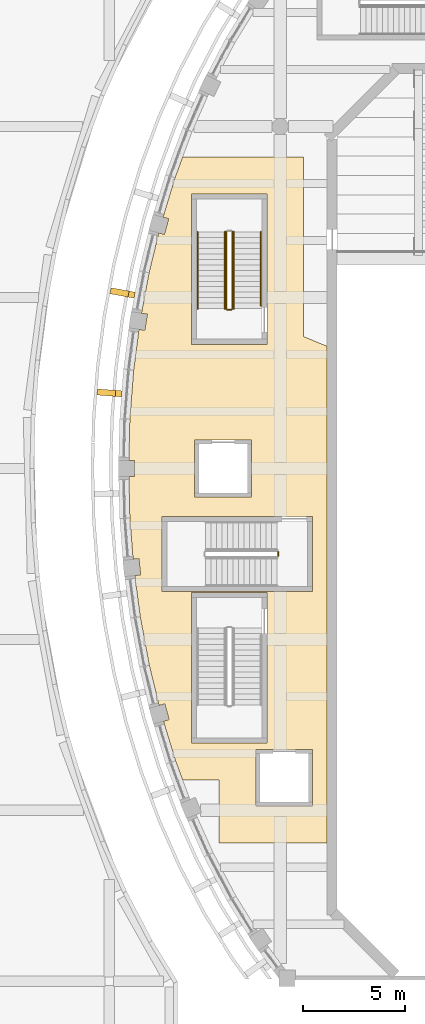
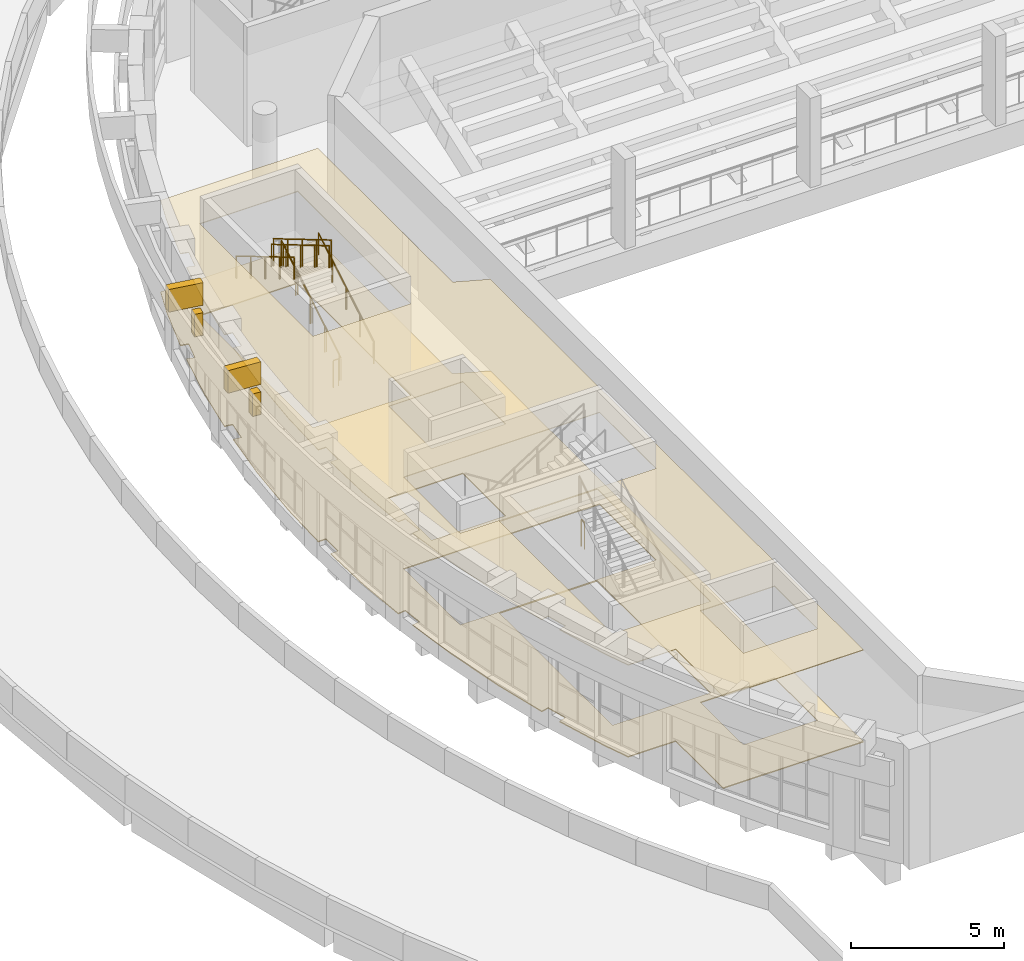
# One storey, part 68 of 79: 8 railings, 6 coverings.
"""IFC4 building model written with IfcOpenShell, lengths in metres."""

import ifcopenshell
import ifcopenshell.guid

model = None  # the IFC model being written
_history = None  # IfcOwnerHistory: only IFC2X3 demands one
_inside = {}  # id of a spatial element -> (the spatial element, [elements in it])
_under = {}  # id of a project, library or spatial element -> (it, [spatial elements below it])
_declared = {}  # id of a project -> (the project, [libraries it declares])
_typed = {}  # id of a type object -> (the type object, [elements of that type])
_made_of = {}  # id of a material, layer set ... -> (it, [elements and type objects made of it])


def new_model(schema):
    """Start an empty IFC model of exactly this schema.

    Asked for "IFC4X3", IfcOpenShell would pick the latest addendum, in which some entities
    have other attributes; the version numbers below select the first issue.
    IFC2X3 requires an IfcOwnerHistory on every rooted entity: one is made here for all.
    """
    global model, _history
    if schema == "IFC4X3":
        model = ifcopenshell.file(schema_version=(4, 3, 0, 0))
    else:
        model = ifcopenshell.file(schema=schema)
    _inside.clear()
    _under.clear()
    _declared.clear()
    _typed.clear()
    _made_of.clear()
    _history = None
    if model.schema == "IFC2X3":
        org = make("IfcOrganization", Name="unknown")
        user = make(
            "IfcPersonAndOrganization",
            ThePerson=make("IfcPerson", FamilyName="unknown"),
            TheOrganization=org,
        )
        app = make(
            "IfcApplication",
            ApplicationDeveloper=org,
            Version="unknown",
            ApplicationFullName="unknown",
            ApplicationIdentifier="unknown",
        )
        _history = make(
            "IfcOwnerHistory",
            OwningUser=user,
            OwningApplication=app,
            ChangeAction="ADDED",
            CreationDate=0,
        )
    return model


def make(cls, **values):
    """One entity of the class cls with the attributes given. An attribute that is None is left unset."""
    return model.create_entity(
        cls, **{name: value for name, value in values.items() if value is not None}
    )


def rooted(cls, **values):
    """An entity with a GlobalId (a new one), such as an element, a storey or a relation."""
    return make(cls, GlobalId=ifcopenshell.guid.new(), OwnerHistory=_history, **values)


def si_unit(unit_type, name, prefix=None):
    """IfcSIUnit, for example si_unit("LENGTHUNIT", "METRE", prefix="MILLI")."""
    return make("IfcSIUnit", UnitType=unit_type, Prefix=prefix, Name=name)


def assignment(units):
    """IfcUnitAssignment: the units of a project."""
    return None if units is None else make("IfcUnitAssignment", Units=units)


def point(xyz):
    """IfcCartesianPoint."""
    return None if xyz is None else make("IfcCartesianPoint", Coordinates=xyz)


def direction(xyz):
    """IfcDirection."""
    return None if xyz is None else make("IfcDirection", DirectionRatios=xyz)


def frame(location, z_axis=None, x_axis=None):
    """IfcAxis2Placement3D, a coordinate frame: its origin and axes. An axis left out is left unset."""
    return make(
        "IfcAxis2Placement3D",
        Location=point(location),
        Axis=direction(z_axis),
        RefDirection=direction(x_axis),
    )


def frame_2d(location, x_axis=None):
    """IfcAxis2Placement2D, a coordinate frame in the plane: its origin and x axis."""
    return make(
        "IfcAxis2Placement2D", Location=point(location), RefDirection=direction(x_axis)
    )


def origin():
    """The frame at (0, 0, 0) with its axes left unset."""
    return frame((0.0, 0.0, 0.0))


def origin_2d():
    """The frame at (0, 0) in the plane with its x axis left unset."""
    return frame_2d((0.0, 0.0))


def place(relative_to, where):
    """IfcLocalPlacement: puts the frame where relative to a parent placement (None: the world)."""
    return make(
        "IfcLocalPlacement", PlacementRelTo=relative_to, RelativePlacement=where
    )


def context(
    kind, dimensions, precision=None, world=None, true_north=None, identifier=None
):
    """IfcGeometricRepresentationContext, for example the 3D "Model" context."""
    return make(
        "IfcGeometricRepresentationContext",
        ContextIdentifier=identifier,
        ContextType=kind,
        CoordinateSpaceDimension=dimensions,
        Precision=precision,
        WorldCoordinateSystem=world,
        TrueNorth=true_north,
    )


def subcontext(parent, identifier, kind, view, scale=None):
    """IfcGeometricRepresentationSubContext, for example "Body" below "Model"."""
    return make(
        "IfcGeometricRepresentationSubContext",
        ContextIdentifier=identifier,
        ContextType=kind,
        ParentContext=parent,
        TargetScale=scale,
        TargetView=view,
    )


def project(units=None, contexts=None):
    """IfcProject with its units and contexts."""
    return rooted(
        "IfcProject",
        Name="project",
        RepresentationContexts=contexts,
        UnitsInContext=assignment(units),
    )


def spatial(cls, under=None, at=None, **own):
    """A site, building, storey or space (cls), placed at a placement, below another one or the project."""
    s = rooted(cls, ObjectPlacement=at, **own)
    if under is not None:
        _under.setdefault(under.id(), (under, []))[1].append(s)
    return s


def polyline(points):
    """IfcPolyline through the points."""
    return make("IfcPolyline", Points=[point(p) for p in points])


def profile(cls, at=None, kind="AREA", **sizes):
    """A parametric profile (cls). Its sizes go by their IFC names, for example OverallWidth=200.0."""
    return make(cls, ProfileType=kind, Position=at, **sizes)


def rectangle(**sizes):
    """IfcRectangleProfileDef."""
    return profile("IfcRectangleProfileDef", **sizes)


def circle(**sizes):
    """IfcCircleProfileDef."""
    return profile("IfcCircleProfileDef", **sizes)


def outline(outer, holes=None, kind="AREA"):
    """IfcArbitraryClosedProfileDef: a profile drawn as a closed curve; with holes, ...WithVoids."""
    if holes is None:
        return make("IfcArbitraryClosedProfileDef", ProfileType=kind, OuterCurve=outer)
    return make(
        "IfcArbitraryProfileDefWithVoids",
        ProfileType=kind,
        OuterCurve=outer,
        InnerCurves=holes,
    )


def extrude(swept, where, along, depth):
    """IfcExtrudedAreaSolid: the profile swept, set in the frame where, extruded along a direction by depth."""
    return make(
        "IfcExtrudedAreaSolid",
        SweptArea=swept,
        Position=where,
        ExtrudedDirection=direction(along),
        Depth=depth,
    )


def shape(context_of_items, identifier, shape_type, items):
    """IfcShapeRepresentation: the items that make up one representation, for example the "Body"."""
    return make(
        "IfcShapeRepresentation",
        ContextOfItems=context_of_items,
        RepresentationIdentifier=identifier,
        RepresentationType=shape_type,
        Items=items,
    )


def material(Name=None, Category=None):
    """IfcMaterial."""
    return make("IfcMaterial", Name=Name, Category=Category)


def layer(
    of_material, thickness, ventilated=None, Name=None, Category=None, Priority=None
):
    """IfcMaterialLayer: one layer of a wall or slab, of a material (None: an air gap)."""
    return make(
        "IfcMaterialLayer",
        Material=of_material,
        LayerThickness=thickness,
        IsVentilated=ventilated,
        Name=Name,
        Category=Category,
        Priority=Priority,
    )


def layer_set(layers, Name=None):
    """IfcMaterialLayerSet."""
    return make("IfcMaterialLayerSet", MaterialLayers=layers, LayerSetName=Name)


def made_of(thing, what):
    """Note that an element or type object is made of a material, layer set ...; save() writes the relation."""
    if what is not None:
        _made_of.setdefault(what.id(), (what, []))[1].append(thing)
    return thing


def type_object(cls, material=None, **own):
    """A type object (cls), such as IfcWallType, which elements share."""
    return made_of(rooted(cls, **own), material)


def element(
    cls,
    number,
    at=None,
    inside=None,
    cuts=None,
    type_object=None,
    material=None,
    context=None,
    identifier="Body",
    shape_type=None,
    held_by="IfcProductDefinitionShape",
    body=None,
    shapes=None,
    **own,
):
    """One element of the class cls, such as IfcWall. Its Tag is "e" and its number.

    at: its placement. inside: the storey or other place that contains it. cuts: it is an
    opening in that element (IfcRelVoidsElement). A single representation is given by context,
    identifier, shape_type and body (its items); several are given by shapes. held_by: the class
    of the entity that holds the representations. save() writes the other relations.
    """
    e = rooted(cls, Tag="e%d" % number, ObjectPlacement=at, **own)
    if body is not None:
        shapes = [shape(context, identifier, shape_type, body)]
    if shapes is not None:
        e.Representation = make(held_by, Representations=shapes)
    if inside is not None:
        _inside.setdefault(inside.id(), (inside, []))[1].append(e)
    if cuts is not None:
        rooted(
            "IfcRelVoidsElement", RelatingBuildingElement=cuts, RelatedOpeningElement=e
        )
    if type_object is not None:
        _typed.setdefault(type_object.id(), (type_object, []))[1].append(e)
    return made_of(e, material)


def aggregate(whole, parts):
    """IfcRelAggregates: a whole, such as a stair, and the parts it consists of."""
    return rooted("IfcRelAggregates", RelatingObject=whole, RelatedObjects=parts)


def save(model, path):
    """Write the relations noted so far, then the file.

    IfcRelAggregates (storeys below a building ...), IfcRelContainedInSpatialStructure (elements
    in a storey), IfcRelDefinesByType, IfcRelAssociatesMaterial and IfcRelDeclares: one each for
    every whole, place, type object, material and project.
    """
    for whole, parts in _under.values():
        aggregate(whole, parts)
    for where, things in _inside.values():
        rooted(
            "IfcRelContainedInSpatialStructure",
            RelatedElements=things,
            RelatingStructure=where,
        )
    for kind, things in _typed.values():
        rooted("IfcRelDefinesByType", RelatedObjects=things, RelatingType=kind)
    for what, things in _made_of.values():
        rooted("IfcRelAssociatesMaterial", RelatedObjects=things, RelatingMaterial=what)
    for by, libraries in _declared.values():
        rooted("IfcRelDeclares", RelatingContext=by, RelatedDefinitions=libraries)
    model.write(path)


model = new_model("IFC4")

# Units and contexts
model_context = context("Model", 3, precision=1e-05, world=origin(), true_north=direction((0.0, 1.0)))
body_context = subcontext(model_context, "Body", "Model", "MODEL_VIEW")
ifc_project = project(units=[si_unit("LENGTHUNIT", "METRE"), si_unit("AREAUNIT", "SQUARE_METRE"), si_unit("VOLUMEUNIT", "CUBIC_METRE"), si_unit("PLANEANGLEUNIT", "RADIAN"), si_unit("MASSUNIT", "GRAM", prefix="KILO")], contexts=[model_context])

# Site, building, storey
site_placement = place(None, origin())
site = spatial("IfcSite", under=ifc_project, at=site_placement, CompositionType="ELEMENT")
building_placement = place(site_placement, origin())
building = spatial("IfcBuilding", under=site, at=building_placement, Name="Larchfold Concert Hall", CompositionType="ELEMENT")
storey_placement = place(building_placement, frame((0.0, 0.0, 14.39990234375)))
storey = spatial("IfcBuildingStorey", under=building, at=storey_placement, Name="L03", CompositionType="ELEMENT", Elevation=14.39990234375)

# Coverings
ifc_material_1 = material(Name="Plasterboard ceiling lining")
ifc_layer_1 = layer(ifc_material_1, 0.030029296875)
ifc_layer_set_1 = layer_set([ifc_layer_1], Name="Plasterboard ceiling lining")
covering_type_1 = type_object("IfcCoveringType", Name="Ceiling suspended plasterboard 30", PredefinedType="CEILING", material=ifc_layer_set_1)
covering_1_placement = place(storey_placement, frame((0.0, 0.0, 3.670166015625)))
element("IfcCovering", 1, at=covering_1_placement, inside=storey, type_object=covering_type_1, Name="Ceiling Hall Foyer West", PredefinedType="CEILING", context=body_context, shape_type="SweptSolid", body=[
    extrude(outline(polyline([(18.413330078125, 82.164794921875), (18.572265625, 80.13525390625), (18.860107421875, 80.165283203125), (18.943359375, 79.36962890625), (18.65576171875, 79.339599609375), (18.92138671875, 77.321533203125), (19.36767578125, 74.9306640625), (19.8515625, 72.950927734375), (20.129638671875, 73.02734375), (20.341552734375, 72.255859375), (20.0634765625, 72.179443359375), (20.658447265625, 70.23486328125), (21.005859375, 69.301025390625), (22.7919921875, 69.301025390625), (22.79931640625, 69.296630859375), (22.801025390625, 66.200927734375), (28.10009765625, 66.200927734375), (28.10009765625, 90.60595703125), (26.954833984375, 91.08056640625), (26.948974609375, 91.088623046875), (26.948974609375, 99.899169921875), (21.006103515625, 99.899169921875), (20.629638671875, 98.88037109375), (20.04296875, 96.948486328125), (20.3212890625, 96.87255859375), (20.11083984375, 96.1005859375), (19.832275390625, 96.176513671875), (19.355712890625, 94.21435546875), (18.9873046875, 92.2275390625), (19.27294921875, 92.182373046875), (19.148193359375, 91.39208984375), (18.8623046875, 91.437255859375), (18.600341796875, 89.433837890625), (18.41259765625, 87.020263671875), (18.360595703125, 85.0), (18.64990234375, 85.0), (18.64990234375, 84.2001953125), (18.360595703125, 84.2001953125), (18.413330078125, 82.164794921875)]), holes=[polyline([(20.0, 78.550048828125), (20.0, 82.25), (27.39990234375, 82.25), (27.39990234375, 78.550048828125), (20.0, 78.550048828125)]), polyline([(24.60009765625, 68.0), (24.60009765625, 70.800048828125), (27.39990234375, 70.800048828125), (27.39990234375, 68.0), (24.60009765625, 68.0)]), polyline([(21.449951171875, 71.10009765625), (21.449951171875, 78.5), (25.14990234375, 78.5), (25.14990234375, 71.10009765625), (21.449951171875, 71.10009765625)]), polyline([(21.449951171875, 90.699951171875), (21.449951171875, 98.10009765625), (25.14990234375, 98.10009765625), (25.14990234375, 90.699951171875), (21.449951171875, 90.699951171875)]), polyline([(21.60009765625, 83.199951171875), (21.60009765625, 86.0), (24.39990234375, 86.0), (24.39990234375, 83.199951171875), (21.60009765625, 83.199951171875)])]), origin(), (0.0, 0.0, 1.0), 0.030029296875),
])
ifc_material_2 = material(Name="Polished terrazzo")
ifc_layer_2 = layer(ifc_material_2, 0.0400390625)
ifc_layer_set_2 = layer_set([ifc_layer_2], Name="Polished terrazzo")
covering_type_2 = type_object("IfcCoveringType", Name="Floor finish terrazzo 40", PredefinedType="FLOORING", material=ifc_layer_set_2)
covering_2_placement = place(storey_placement, origin())
element("IfcCovering", 2, at=covering_2_placement, inside=storey, type_object=covering_type_2, Name="Floor finish Hall Foyer West", PredefinedType="FLOORING", context=body_context, shape_type="SweptSolid", body=[
    extrude(outline(polyline([(18.413330078125, 82.164794921875), (18.572265625, 80.13525390625), (18.860107421875, 80.165283203125), (18.943359375, 79.36962890625), (18.65576171875, 79.339599609375), (18.92138671875, 77.321533203125), (19.36767578125, 74.9306640625), (19.8515625, 72.950927734375), (20.129638671875, 73.02734375), (20.341552734375, 72.255859375), (20.0634765625, 72.179443359375), (20.658447265625, 70.23486328125), (21.005859375, 69.301025390625), (22.7919921875, 69.301025390625), (22.79931640625, 69.296630859375), (22.801025390625, 66.200927734375), (28.10009765625, 66.200927734375), (28.10009765625, 90.60595703125), (26.954833984375, 91.08056640625), (26.948974609375, 91.088623046875), (26.948974609375, 99.899169921875), (21.006103515625, 99.899169921875), (20.629638671875, 98.88037109375), (20.04296875, 96.948486328125), (20.3212890625, 96.87255859375), (20.11083984375, 96.1005859375), (19.832275390625, 96.176513671875), (19.355712890625, 94.21435546875), (18.9873046875, 92.2275390625), (19.27294921875, 92.182373046875), (19.148193359375, 91.39208984375), (18.8623046875, 91.437255859375), (18.600341796875, 89.433837890625), (18.41259765625, 87.020263671875), (18.360595703125, 85.0), (18.64990234375, 85.0), (18.64990234375, 84.2001953125), (18.360595703125, 84.2001953125), (18.413330078125, 82.164794921875)]), holes=[polyline([(20.0, 78.550048828125), (20.0, 82.25), (27.39990234375, 82.25), (27.39990234375, 78.550048828125), (20.0, 78.550048828125)]), polyline([(24.60009765625, 68.0), (24.60009765625, 70.800048828125), (27.39990234375, 70.800048828125), (27.39990234375, 68.0), (24.60009765625, 68.0)]), polyline([(21.449951171875, 71.10009765625), (21.449951171875, 78.5), (25.14990234375, 78.5), (25.14990234375, 71.10009765625), (21.449951171875, 71.10009765625)]), polyline([(21.449951171875, 90.699951171875), (21.449951171875, 98.10009765625), (25.14990234375, 98.10009765625), (25.14990234375, 90.699951171875), (21.449951171875, 90.699951171875)]), polyline([(21.60009765625, 83.199951171875), (21.60009765625, 86.0), (24.39990234375, 86.0), (24.39990234375, 83.199951171875), (21.60009765625, 83.199951171875)])]), origin(), (0.0, 0.0, 1.0), 0.0400390625),
])
ifc_material_3 = material(Name="Galvanised steel bracket", Category="steel")
ifc_layer_3 = layer(ifc_material_3, 0.300048828125)
ifc_layer_set_3 = layer_set([ifc_layer_3], Name="Galvanised steel bracket")
covering_type_3 = type_object("IfcCoveringType", Name="Ring support bracket", PredefinedType="CLADDING", material=ifc_layer_set_3)
for number, where, z_axis, x_axis, name in (
    (3, (18.495849609375, 93.142578125, 3.35009765625), (0.0, 0.0, 1.0), (-0.983231690727, 0.182360747833, 0.0), "Ring bracket BR-R06-18"),
    (4, (17.8583984375, 88.277587890625, 3.35009765625), (0.0, 0.0, 1.0), (-0.996990162785, 0.077528158171, 0.0), "Ring bracket BR-R06-19"),
):
    element("IfcCovering", number, at=place(storey_placement, frame(where, z_axis=z_axis, x_axis=x_axis)), inside=storey, type_object=covering_type_3, Name=name, PredefinedType="CLADDING", context=body_context, shape_type="SweptSolid", body=[
        extrude(rectangle(XDim=0.300048828125, YDim=0.300048828125, at=origin_2d()), origin(), (0.0, 0.0, 1.0), 0.89990234375),
    ])
for number, where, z_axis, x_axis, name in (
    (5, (18.053466796875, 93.224609375, 4.550048828125), (0.0, 0.0, 1.0), (-0.983231690727, 0.182360747833, 0.0), "Ring bracket BR-R07-18"),
    (6, (17.40966796875, 88.3125, 4.550048828125), (0.0, 0.0, 1.0), (-0.996990162785, 0.077528158171, 0.0), "Ring bracket BR-R07-19"),
):
    element("IfcCovering", number, at=place(storey_placement, frame(where, z_axis=z_axis, x_axis=x_axis)), inside=storey, type_object=covering_type_3, Name=name, PredefinedType="CLADDING", context=body_context, shape_type="SweptSolid", body=[
        extrude(rectangle(XDim=1.199951171875, YDim=0.300048828125, at=origin_2d()), origin(), (0.0, 0.0, 1.0), 0.89990234375),
    ])

# Railings
ifc_material_4 = material(Name="Stainless steel balustrade", Category="steel")
railing_type_1 = type_object("IfcRailingType", Name="Stair guard 1100", PredefinedType="GUARDRAIL", material=ifc_material_4)
railing_1_placement = place(storey_placement, frame((23.449951171875, 92.449951171875, 0.16015625)))
element("IfcRailing", 7, at=railing_1_placement, inside=storey, type_object=railing_type_1, Name="Guard GR0017", PredefinedType="GUARDRAIL", context=body_context, shape_type="SweptSolid", body=[
    extrude(circle(Radius=0.02392578125, at=origin_2d()), frame((0.0, 0.0, 1.076171875), z_axis=(0.0, 0.860294241299, 0.509797821089), x_axis=(-1.0, 0.0, 0.0)), (0.0, 0.0, 1.0), 4.393798828125),
    extrude(circle(Radius=0.02099609375, at=origin_2d()), origin(), (0.0, 0.0, 1.0), 1.052001953125),
    extrude(circle(Radius=0.02099609375, at=origin_2d()), frame((0.0, 0.945068359375, 0.56005859375)), (0.0, 0.0, 1.0), 1.052001953125),
    extrude(circle(Radius=0.02099609375, at=origin_2d()), frame((0.0, 1.89013671875, 1.1201171875)), (0.0, 0.0, 1.0), 1.052001953125),
    extrude(circle(Radius=0.02099609375, at=origin_2d()), frame((0.0, 2.8349609375, 1.679931640625)), (0.0, 0.0, 1.0), 1.052001953125),
    extrude(circle(Radius=0.02099609375, at=origin_2d()), frame((0.0, 3.780029296875, 2.239990234375)), (0.0, 0.0, 1.0), 1.052001953125),
])
railing_2_placement = place(storey_placement, frame((23.14990234375, 96.22998046875, 2.56005859375)))
element("IfcRailing", 8, at=railing_2_placement, inside=storey, type_object=railing_type_1, Name="Guard GR0019", PredefinedType="GUARDRAIL", context=body_context, shape_type="SweptSolid", body=[
    extrude(circle(Radius=0.02392578125, at=origin_2d()), frame((0.0, 0.0, 1.076171875), z_axis=(0.0, -0.860294241299, 0.509797821089), x_axis=(1.0, 0.0, 0.0)), (0.0, 0.0, 1.0), 4.393798828125),
    extrude(circle(Radius=0.02099609375, at=origin_2d()), origin(), (0.0, 0.0, 1.0), 1.052001953125),
    extrude(circle(Radius=0.02099609375, at=origin_2d()), frame((0.0, -0.945068359375, 0.56005859375)), (0.0, 0.0, 1.0), 1.052001953125),
    extrude(circle(Radius=0.02099609375, at=origin_2d()), frame((0.0, -1.89013671875, 1.1201171875)), (0.0, 0.0, 1.0), 1.052001953125),
    extrude(circle(Radius=0.02099609375, at=origin_2d()), frame((0.0, -2.8349609375, 1.679931640625)), (0.0, 0.0, 1.0), 1.052001953125),
    extrude(circle(Radius=0.02099609375, at=origin_2d()), frame((0.0, -3.780029296875, 2.239990234375)), (0.0, 0.0, 1.0), 1.052001953125),
])
railing_3_placement = place(storey_placement, frame((23.39990234375, 92.39990234375, 0.0)))
element("IfcRailing", 9, at=railing_3_placement, inside=storey, type_object=railing_type_1, Name="Guard GR0020", PredefinedType="GUARDRAIL", context=body_context, shape_type="SweptSolid", body=[
    extrude(circle(Radius=0.02392578125, at=origin_2d()), frame((0.0, 0.0, 1.076171875), z_axis=(-1.0, 0.0, 0.0), x_axis=(0.0, -1.0, 0.0)), (0.0, 0.0, 1.0), 0.199951171875),
    extrude(circle(Radius=0.02099609375, at=origin_2d()), origin(), (0.0, 0.0, 1.0), 1.052001953125),
    extrude(circle(Radius=0.02099609375, at=origin_2d()), frame((-0.199951171875, 0.0, 0.0)), (0.0, 0.0, 1.0), 1.052001953125),
])
railing_4_placement = place(storey_placement, frame((25.699951171875, 80.5, 0.0)))
element("IfcRailing", 10, at=railing_4_placement, inside=storey, type_object=railing_type_1, Name="Guard GR0032", PredefinedType="GUARDRAIL", context=body_context, shape_type="SweptSolid", body=[
    extrude(circle(Radius=0.02392578125, at=origin_2d()), frame((0.0, 0.0, 1.076171875), z_axis=(0.0, -1.0, 0.0), x_axis=(1.0, 0.0, 0.0)), (0.0, 0.0, 1.0), 0.199951171875),
    extrude(circle(Radius=0.02099609375, at=origin_2d()), origin(), (0.0, 0.0, 1.0), 1.052001953125),
    extrude(circle(Radius=0.02099609375, at=origin_2d()), frame((0.0, -0.199951171875, 0.0)), (0.0, 0.0, 1.0), 1.052001953125),
])
ifc_material_5 = material(Name="Stainless steel handrail", Category="steel")
railing_type_2 = type_object("IfcRailingType", Name="Stair handrail 900", PredefinedType="HANDRAIL", material=ifc_material_5)
railing_5_placement = place(storey_placement, frame((24.849853515625, 92.60009765625, 0.2490234375)))
element("IfcRailing", 11, at=railing_5_placement, inside=storey, type_object=railing_type_2, Name="Handrail HR0013", PredefinedType="HANDRAIL", context=body_context, shape_type="SweptSolid", body=[
    extrude(circle(Radius=0.02392578125, at=origin_2d()), frame((0.0, 0.0, 0.8759765625), z_axis=(0.0, 0.860283074592, 0.509816664665), x_axis=(-1.0, 0.0, 0.0)), (0.0, 0.0, 1.0), 4.219482421875),
    extrude(circle(Radius=0.02099609375, at=origin_2d()), origin(), (0.0, 0.0, 1.0), 0.851806640625),
    extrude(circle(Radius=0.02099609375, at=origin_2d()), frame((0.0, 0.907470703125, 0.537841796875)), (0.0, 0.0, 1.0), 0.851806640625),
    extrude(circle(Radius=0.02099609375, at=origin_2d()), frame((0.0, 1.81494140625, 1.07568359375)), (0.0, 0.0, 1.0), 0.851806640625),
    extrude(circle(Radius=0.02099609375, at=origin_2d()), frame((0.0, 2.722412109375, 1.61328125)), (0.0, 0.0, 1.0), 0.851806640625),
    extrude(circle(Radius=0.02099609375, at=origin_2d()), frame((0.0, 3.6298828125, 2.151123046875)), (0.0, 0.0, 1.0), 0.851806640625),
])
railing_6_placement = place(storey_placement, frame((21.75, 96.22998046875, 2.56005859375)))
element("IfcRailing", 12, at=railing_6_placement, inside=storey, type_object=railing_type_2, Name="Handrail HR0014", PredefinedType="HANDRAIL", context=body_context, shape_type="SweptSolid", body=[
    extrude(circle(Radius=0.02392578125, at=origin_2d()), frame((0.0, 0.0, 0.8759765625), z_axis=(0.0, -0.860294241299, 0.509797821089), x_axis=(1.0, 0.0, 0.0)), (0.0, 0.0, 1.0), 4.393798828125),
    extrude(circle(Radius=0.02099609375, at=origin_2d()), origin(), (0.0, 0.0, 1.0), 0.851806640625),
    extrude(circle(Radius=0.02099609375, at=origin_2d()), frame((0.0, -0.945068359375, 0.56005859375)), (0.0, 0.0, 1.0), 0.851806640625),
    extrude(circle(Radius=0.02099609375, at=origin_2d()), frame((0.0, -1.89013671875, 1.1201171875)), (0.0, 0.0, 1.0), 0.851806640625),
    extrude(circle(Radius=0.02099609375, at=origin_2d()), frame((0.0, -2.8349609375, 1.679931640625)), (0.0, 0.0, 1.0), 0.851806640625),
    extrude(circle(Radius=0.02099609375, at=origin_2d()), frame((0.0, -3.780029296875, 2.239990234375)), (0.0, 0.0, 1.0), 0.851806640625),
])
railing_7_placement = place(storey_placement, frame((23.52001953125, 92.449951171875, 0.16015625)))
element("IfcRailing", 13, at=railing_7_placement, inside=storey, type_object=railing_type_2, Name="Handrail HR0015", PredefinedType="HANDRAIL", context=body_context, shape_type="SweptSolid", body=[
    extrude(circle(Radius=0.02392578125, at=origin_2d()), frame((0.0, 0.0, 0.8759765625), z_axis=(0.0, 0.860294241299, 0.509797821089), x_axis=(-1.0, 0.0, 0.0)), (0.0, 0.0, 1.0), 4.393798828125),
    extrude(circle(Radius=0.02099609375, at=origin_2d()), origin(), (0.0, 0.0, 1.0), 0.851806640625),
    extrude(circle(Radius=0.02099609375, at=origin_2d()), frame((0.0, 0.945068359375, 0.56005859375)), (0.0, 0.0, 1.0), 0.851806640625),
    extrude(circle(Radius=0.02099609375, at=origin_2d()), frame((0.0, 1.89013671875, 1.1201171875)), (0.0, 0.0, 1.0), 0.851806640625),
    extrude(circle(Radius=0.02099609375, at=origin_2d()), frame((0.0, 2.8349609375, 1.679931640625)), (0.0, 0.0, 1.0), 0.851806640625),
    extrude(circle(Radius=0.02099609375, at=origin_2d()), frame((0.0, 3.780029296875, 2.239990234375)), (0.0, 0.0, 1.0), 0.851806640625),
])
railing_8_placement = place(storey_placement, frame((23.079833984375, 96.22998046875, 2.56005859375)))
element("IfcRailing", 14, at=railing_8_placement, inside=storey, type_object=railing_type_2, Name="Handrail HR0016", PredefinedType="HANDRAIL", context=body_context, shape_type="SweptSolid", body=[
    extrude(circle(Radius=0.02392578125, at=origin_2d()), frame((0.0, 0.0, 0.8759765625), z_axis=(0.0, -0.860294241299, 0.509797821089), x_axis=(1.0, 0.0, 0.0)), (0.0, 0.0, 1.0), 4.393798828125),
    extrude(circle(Radius=0.02099609375, at=origin_2d()), origin(), (0.0, 0.0, 1.0), 0.851806640625),
    extrude(circle(Radius=0.02099609375, at=origin_2d()), frame((0.0, -0.945068359375, 0.56005859375)), (0.0, 0.0, 1.0), 0.851806640625),
    extrude(circle(Radius=0.02099609375, at=origin_2d()), frame((0.0, -1.89013671875, 1.1201171875)), (0.0, 0.0, 1.0), 0.851806640625),
    extrude(circle(Radius=0.02099609375, at=origin_2d()), frame((0.0, -2.8349609375, 1.679931640625)), (0.0, 0.0, 1.0), 0.851806640625),
    extrude(circle(Radius=0.02099609375, at=origin_2d()), frame((0.0, -3.780029296875, 2.239990234375)), (0.0, 0.0, 1.0), 0.851806640625),
])

save(model, "model.ifc")
